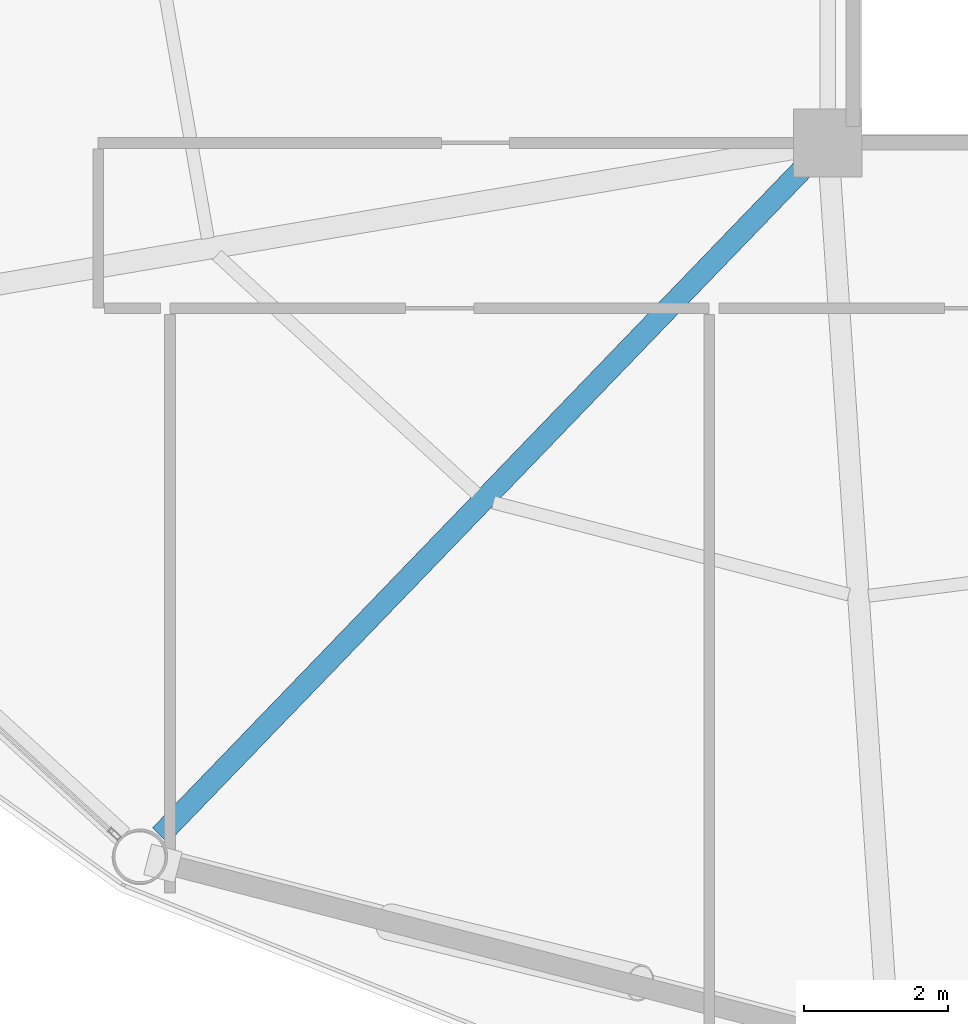
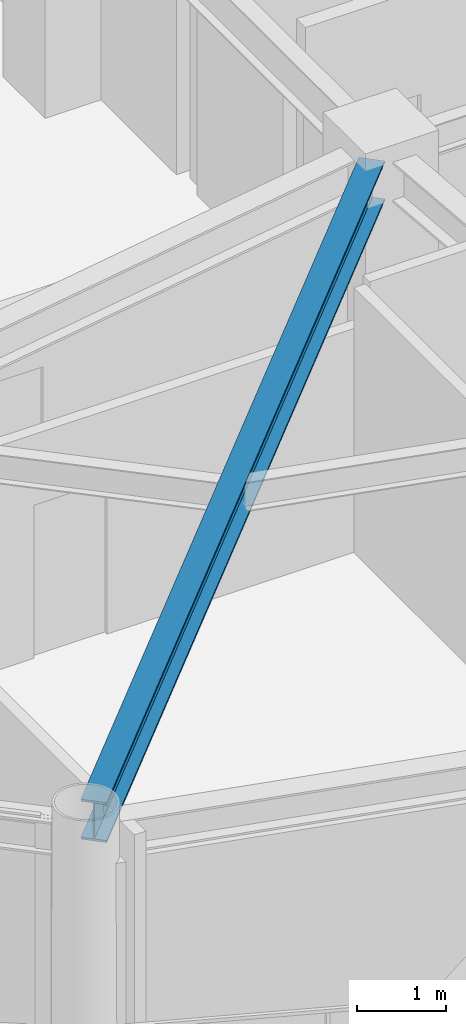
# One storey, part 4 of 26: 1 beam.
"""IFC4 building model written with IfcOpenShell, lengths in metres."""

import ifcopenshell
import ifcopenshell.guid

model = None  # the IFC model being written
_history = None  # IfcOwnerHistory: only IFC2X3 demands one
_inside = {}  # id of a spatial element -> (the spatial element, [elements in it])
_under = {}  # id of a project, library or spatial element -> (it, [spatial elements below it])
_declared = {}  # id of a project -> (the project, [libraries it declares])
_typed = {}  # id of a type object -> (the type object, [elements of that type])
_made_of = {}  # id of a material, layer set ... -> (it, [elements and type objects made of it])


def new_model(schema):
    """Start an empty IFC model of exactly this schema.

    Asked for "IFC4X3", IfcOpenShell would pick the latest addendum, in which some entities
    have other attributes; the version numbers below select the first issue.
    IFC2X3 requires an IfcOwnerHistory on every rooted entity: one is made here for all.
    """
    global model, _history
    if schema == "IFC4X3":
        model = ifcopenshell.file(schema_version=(4, 3, 0, 0))
    else:
        model = ifcopenshell.file(schema=schema)
    _inside.clear()
    _under.clear()
    _declared.clear()
    _typed.clear()
    _made_of.clear()
    _history = None
    if model.schema == "IFC2X3":
        org = make("IfcOrganization", Name="unknown")
        user = make(
            "IfcPersonAndOrganization",
            ThePerson=make("IfcPerson", FamilyName="unknown"),
            TheOrganization=org,
        )
        app = make(
            "IfcApplication",
            ApplicationDeveloper=org,
            Version="unknown",
            ApplicationFullName="unknown",
            ApplicationIdentifier="unknown",
        )
        _history = make(
            "IfcOwnerHistory",
            OwningUser=user,
            OwningApplication=app,
            ChangeAction="ADDED",
            CreationDate=0,
        )
    return model


def make(cls, **values):
    """One entity of the class cls with the attributes given. An attribute that is None is left unset."""
    return model.create_entity(
        cls, **{name: value for name, value in values.items() if value is not None}
    )


def rooted(cls, **values):
    """An entity with a GlobalId (a new one), such as an element, a storey or a relation."""
    return make(cls, GlobalId=ifcopenshell.guid.new(), OwnerHistory=_history, **values)


def si_unit(unit_type, name, prefix=None):
    """IfcSIUnit, for example si_unit("LENGTHUNIT", "METRE", prefix="MILLI")."""
    return make("IfcSIUnit", UnitType=unit_type, Prefix=prefix, Name=name)


def assignment(units):
    """IfcUnitAssignment: the units of a project."""
    return None if units is None else make("IfcUnitAssignment", Units=units)


def point(xyz):
    """IfcCartesianPoint."""
    return None if xyz is None else make("IfcCartesianPoint", Coordinates=xyz)


def direction(xyz):
    """IfcDirection."""
    return None if xyz is None else make("IfcDirection", DirectionRatios=xyz)


def frame(location, z_axis=None, x_axis=None):
    """IfcAxis2Placement3D, a coordinate frame: its origin and axes. An axis left out is left unset."""
    return make(
        "IfcAxis2Placement3D",
        Location=point(location),
        Axis=direction(z_axis),
        RefDirection=direction(x_axis),
    )


def frame_2d(location, x_axis=None):
    """IfcAxis2Placement2D, a coordinate frame in the plane: its origin and x axis."""
    return make(
        "IfcAxis2Placement2D", Location=point(location), RefDirection=direction(x_axis)
    )


def origin():
    """The frame at (0, 0, 0) with its axes left unset."""
    return frame((0.0, 0.0, 0.0))


def origin_2d():
    """The frame at (0, 0) in the plane with its x axis left unset."""
    return frame_2d((0.0, 0.0))


def place(relative_to, where):
    """IfcLocalPlacement: puts the frame where relative to a parent placement (None: the world)."""
    return make(
        "IfcLocalPlacement", PlacementRelTo=relative_to, RelativePlacement=where
    )


def context(
    kind, dimensions, precision=None, world=None, true_north=None, identifier=None
):
    """IfcGeometricRepresentationContext, for example the 3D "Model" context."""
    return make(
        "IfcGeometricRepresentationContext",
        ContextIdentifier=identifier,
        ContextType=kind,
        CoordinateSpaceDimension=dimensions,
        Precision=precision,
        WorldCoordinateSystem=world,
        TrueNorth=true_north,
    )


def subcontext(parent, identifier, kind, view, scale=None):
    """IfcGeometricRepresentationSubContext, for example "Body" below "Model"."""
    return make(
        "IfcGeometricRepresentationSubContext",
        ContextIdentifier=identifier,
        ContextType=kind,
        ParentContext=parent,
        TargetScale=scale,
        TargetView=view,
    )


def project(units=None, contexts=None):
    """IfcProject with its units and contexts."""
    return rooted(
        "IfcProject",
        Name="project",
        RepresentationContexts=contexts,
        UnitsInContext=assignment(units),
    )


def spatial(cls, under=None, at=None, **own):
    """A site, building, storey or space (cls), placed at a placement, below another one or the project."""
    s = rooted(cls, ObjectPlacement=at, **own)
    if under is not None:
        _under.setdefault(under.id(), (under, []))[1].append(s)
    return s


def profile(cls, at=None, kind="AREA", **sizes):
    """A parametric profile (cls). Its sizes go by their IFC names, for example OverallWidth=200.0."""
    return make(cls, ProfileType=kind, Position=at, **sizes)


def i_section(**sizes):
    """IfcIShapeProfileDef."""
    return profile("IfcIShapeProfileDef", **sizes)


def extrude(swept, where, along, depth):
    """IfcExtrudedAreaSolid: the profile swept, set in the frame where, extruded along a direction by depth."""
    return make(
        "IfcExtrudedAreaSolid",
        SweptArea=swept,
        Position=where,
        ExtrudedDirection=direction(along),
        Depth=depth,
    )


def shape(context_of_items, identifier, shape_type, items):
    """IfcShapeRepresentation: the items that make up one representation, for example the "Body"."""
    return make(
        "IfcShapeRepresentation",
        ContextOfItems=context_of_items,
        RepresentationIdentifier=identifier,
        RepresentationType=shape_type,
        Items=items,
    )


def material(Name=None, Category=None):
    """IfcMaterial."""
    return make("IfcMaterial", Name=Name, Category=Category)


def material_profile(
    of_material, cross_section, Name=None, Category=None, Priority=None
):
    """IfcMaterialProfile: a cross section and its material."""
    return make(
        "IfcMaterialProfile",
        Name=Name,
        Material=of_material,
        Profile=cross_section,
        Priority=Priority,
        Category=Category,
    )


def profile_set(profiles, Name=None, composite=None):
    """IfcMaterialProfileSet."""
    return make(
        "IfcMaterialProfileSet",
        Name=Name,
        MaterialProfiles=profiles,
        CompositeProfile=composite,
    )


def made_of(thing, what):
    """Note that an element or type object is made of a material, layer set ...; save() writes the relation."""
    if what is not None:
        _made_of.setdefault(what.id(), (what, []))[1].append(thing)
    return thing


def type_object(cls, material=None, **own):
    """A type object (cls), such as IfcWallType, which elements share."""
    return made_of(rooted(cls, **own), material)


def element(
    cls,
    number,
    at=None,
    inside=None,
    cuts=None,
    type_object=None,
    material=None,
    context=None,
    identifier="Body",
    shape_type=None,
    held_by="IfcProductDefinitionShape",
    body=None,
    shapes=None,
    **own,
):
    """One element of the class cls, such as IfcWall. Its Tag is "e" and its number.

    at: its placement. inside: the storey or other place that contains it. cuts: it is an
    opening in that element (IfcRelVoidsElement). A single representation is given by context,
    identifier, shape_type and body (its items); several are given by shapes. held_by: the class
    of the entity that holds the representations. save() writes the other relations.
    """
    e = rooted(cls, Tag="e%d" % number, ObjectPlacement=at, **own)
    if body is not None:
        shapes = [shape(context, identifier, shape_type, body)]
    if shapes is not None:
        e.Representation = make(held_by, Representations=shapes)
    if inside is not None:
        _inside.setdefault(inside.id(), (inside, []))[1].append(e)
    if cuts is not None:
        rooted(
            "IfcRelVoidsElement", RelatingBuildingElement=cuts, RelatedOpeningElement=e
        )
    if type_object is not None:
        _typed.setdefault(type_object.id(), (type_object, []))[1].append(e)
    return made_of(e, material)


def aggregate(whole, parts):
    """IfcRelAggregates: a whole, such as a stair, and the parts it consists of."""
    return rooted("IfcRelAggregates", RelatingObject=whole, RelatedObjects=parts)


def save(model, path):
    """Write the relations noted so far, then the file.

    IfcRelAggregates (storeys below a building ...), IfcRelContainedInSpatialStructure (elements
    in a storey), IfcRelDefinesByType, IfcRelAssociatesMaterial and IfcRelDeclares: one each for
    every whole, place, type object, material and project.
    """
    for whole, parts in _under.values():
        aggregate(whole, parts)
    for where, things in _inside.values():
        rooted(
            "IfcRelContainedInSpatialStructure",
            RelatedElements=things,
            RelatingStructure=where,
        )
    for kind, things in _typed.values():
        rooted("IfcRelDefinesByType", RelatedObjects=things, RelatingType=kind)
    for what, things in _made_of.values():
        rooted("IfcRelAssociatesMaterial", RelatedObjects=things, RelatingMaterial=what)
    for by, libraries in _declared.values():
        rooted("IfcRelDeclares", RelatingContext=by, RelatedDefinitions=libraries)
    model.write(path)


model = new_model("IFC4")

# Units and contexts
model_context = context("Model", 3, precision=1e-05, world=origin(), true_north=direction((0.0, 1.0)))
body_context = subcontext(model_context, "Body", "Model", "MODEL_VIEW")
ifc_project = project(units=[si_unit("LENGTHUNIT", "METRE"), si_unit("AREAUNIT", "SQUARE_METRE"), si_unit("VOLUMEUNIT", "CUBIC_METRE"), si_unit("PLANEANGLEUNIT", "RADIAN"), si_unit("MASSUNIT", "GRAM", prefix="KILO")], contexts=[model_context])

# Site, building, storey
site_placement = place(None, origin())
site = spatial("IfcSite", under=ifc_project, at=site_placement, CompositionType="ELEMENT")
building_placement = place(site_placement, origin())
building = spatial("IfcBuilding", under=site, at=building_placement, Name="Varnakorn Sky Granary", CompositionType="ELEMENT")
storey_placement = place(building_placement, frame((0.0, 0.0, 138.300048828125)))
storey = spatial("IfcBuildingStorey", under=building, at=storey_placement, Name="L34", CompositionType="ELEMENT", Elevation=138.300048828125)

# Beam
ifc_material = material(Name="Steel S355JR", Category="steel")
ifc_material_profile = material_profile(ifc_material, i_section(OverallWidth=0.300048828125, OverallDepth=0.550048828125, WebThickness=0.014892578125, FlangeThickness=0.029052734375, at=origin_2d()), Name="HE 550 B")
ifc_profile_set = profile_set([ifc_material_profile], Name="Steel S355JR")
beam_type = type_object("IfcBeamType", Name="BM-RAD-Z3", PredefinedType="BEAM", material=ifc_profile_set)
beam_placement = place(storey_placement, frame((-2.6416015625, -6.90234375, 3.364990234375), z_axis=(-0.694066193716, -0.719911188092, 0.0), x_axis=(0.719911188092, -0.694066193716, 0.0)))
element("IfcBeam", 1, at=beam_placement, inside=storey, type_object=beam_type, Name="Radial Floor Girder RG09 L34", PredefinedType="BEAM", context=body_context, shape_type="SweptSolid", body=[
    extrude(i_section(OverallWidth=0.300048828125, OverallDepth=0.550048828125, WebThickness=0.014892578125, FlangeThickness=0.029052734375, at=origin_2d()), origin(), (0.0, 0.0, 1.0), 12.96044921875),
])

save(model, "model.ifc")
